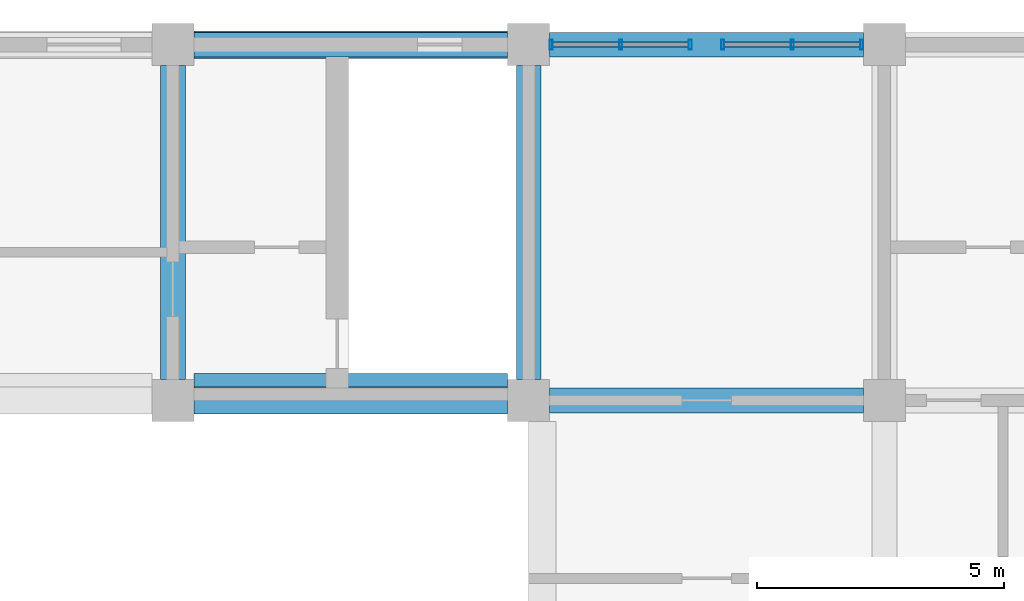
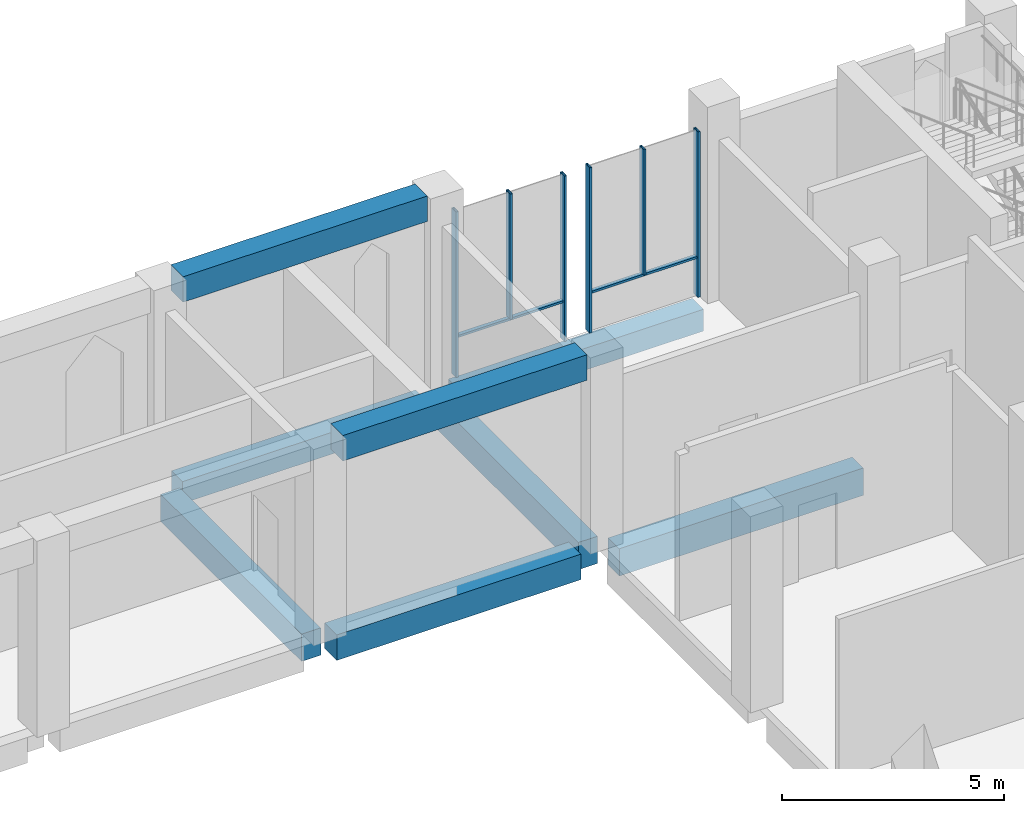
# One storey, part 19 of 48: 8 beams, 8 members, 2 elements without a shape of their own.
"""IFC4 building model written with IfcOpenShell, lengths in metres."""

import ifcopenshell
import ifcopenshell.guid

model = None  # the IFC model being written
_history = None  # IfcOwnerHistory: only IFC2X3 demands one
_inside = {}  # id of a spatial element -> (the spatial element, [elements in it])
_under = {}  # id of a project, library or spatial element -> (it, [spatial elements below it])
_declared = {}  # id of a project -> (the project, [libraries it declares])
_typed = {}  # id of a type object -> (the type object, [elements of that type])
_made_of = {}  # id of a material, layer set ... -> (it, [elements and type objects made of it])


def new_model(schema):
    """Start an empty IFC model of exactly this schema.

    Asked for "IFC4X3", IfcOpenShell would pick the latest addendum, in which some entities
    have other attributes; the version numbers below select the first issue.
    IFC2X3 requires an IfcOwnerHistory on every rooted entity: one is made here for all.
    """
    global model, _history
    if schema == "IFC4X3":
        model = ifcopenshell.file(schema_version=(4, 3, 0, 0))
    else:
        model = ifcopenshell.file(schema=schema)
    _inside.clear()
    _under.clear()
    _declared.clear()
    _typed.clear()
    _made_of.clear()
    _history = None
    if model.schema == "IFC2X3":
        org = make("IfcOrganization", Name="unknown")
        user = make(
            "IfcPersonAndOrganization",
            ThePerson=make("IfcPerson", FamilyName="unknown"),
            TheOrganization=org,
        )
        app = make(
            "IfcApplication",
            ApplicationDeveloper=org,
            Version="unknown",
            ApplicationFullName="unknown",
            ApplicationIdentifier="unknown",
        )
        _history = make(
            "IfcOwnerHistory",
            OwningUser=user,
            OwningApplication=app,
            ChangeAction="ADDED",
            CreationDate=0,
        )
    return model


def make(cls, **values):
    """One entity of the class cls with the attributes given. An attribute that is None is left unset."""
    return model.create_entity(
        cls, **{name: value for name, value in values.items() if value is not None}
    )


def rooted(cls, **values):
    """An entity with a GlobalId (a new one), such as an element, a storey or a relation."""
    return make(cls, GlobalId=ifcopenshell.guid.new(), OwnerHistory=_history, **values)


def si_unit(unit_type, name, prefix=None):
    """IfcSIUnit, for example si_unit("LENGTHUNIT", "METRE", prefix="MILLI")."""
    return make("IfcSIUnit", UnitType=unit_type, Prefix=prefix, Name=name)


def assignment(units):
    """IfcUnitAssignment: the units of a project."""
    return None if units is None else make("IfcUnitAssignment", Units=units)


def point(xyz):
    """IfcCartesianPoint."""
    return None if xyz is None else make("IfcCartesianPoint", Coordinates=xyz)


def direction(xyz):
    """IfcDirection."""
    return None if xyz is None else make("IfcDirection", DirectionRatios=xyz)


def frame(location, z_axis=None, x_axis=None):
    """IfcAxis2Placement3D, a coordinate frame: its origin and axes. An axis left out is left unset."""
    return make(
        "IfcAxis2Placement3D",
        Location=point(location),
        Axis=direction(z_axis),
        RefDirection=direction(x_axis),
    )


def frame_2d(location, x_axis=None):
    """IfcAxis2Placement2D, a coordinate frame in the plane: its origin and x axis."""
    return make(
        "IfcAxis2Placement2D", Location=point(location), RefDirection=direction(x_axis)
    )


def origin():
    """The frame at (0, 0, 0) with its axes left unset."""
    return frame((0.0, 0.0, 0.0))


def origin_2d():
    """The frame at (0, 0) in the plane with its x axis left unset."""
    return frame_2d((0.0, 0.0))


def place(relative_to, where):
    """IfcLocalPlacement: puts the frame where relative to a parent placement (None: the world)."""
    return make(
        "IfcLocalPlacement", PlacementRelTo=relative_to, RelativePlacement=where
    )


def context(
    kind, dimensions, precision=None, world=None, true_north=None, identifier=None
):
    """IfcGeometricRepresentationContext, for example the 3D "Model" context."""
    return make(
        "IfcGeometricRepresentationContext",
        ContextIdentifier=identifier,
        ContextType=kind,
        CoordinateSpaceDimension=dimensions,
        Precision=precision,
        WorldCoordinateSystem=world,
        TrueNorth=true_north,
    )


def subcontext(parent, identifier, kind, view, scale=None):
    """IfcGeometricRepresentationSubContext, for example "Body" below "Model"."""
    return make(
        "IfcGeometricRepresentationSubContext",
        ContextIdentifier=identifier,
        ContextType=kind,
        ParentContext=parent,
        TargetScale=scale,
        TargetView=view,
    )


def project(units=None, contexts=None):
    """IfcProject with its units and contexts."""
    return rooted(
        "IfcProject",
        Name="project",
        RepresentationContexts=contexts,
        UnitsInContext=assignment(units),
    )


def spatial(cls, under=None, at=None, **own):
    """A site, building, storey or space (cls), placed at a placement, below another one or the project."""
    s = rooted(cls, ObjectPlacement=at, **own)
    if under is not None:
        _under.setdefault(under.id(), (under, []))[1].append(s)
    return s


def profile(cls, at=None, kind="AREA", **sizes):
    """A parametric profile (cls). Its sizes go by their IFC names, for example OverallWidth=200.0."""
    return make(cls, ProfileType=kind, Position=at, **sizes)


def rectangle(**sizes):
    """IfcRectangleProfileDef."""
    return profile("IfcRectangleProfileDef", **sizes)


def hollow_rectangle(**sizes):
    """IfcRectangleHollowProfileDef."""
    return profile("IfcRectangleHollowProfileDef", **sizes)


def extrude(swept, where, along, depth):
    """IfcExtrudedAreaSolid: the profile swept, set in the frame where, extruded along a direction by depth."""
    return make(
        "IfcExtrudedAreaSolid",
        SweptArea=swept,
        Position=where,
        ExtrudedDirection=direction(along),
        Depth=depth,
    )


def shape(context_of_items, identifier, shape_type, items):
    """IfcShapeRepresentation: the items that make up one representation, for example the "Body"."""
    return make(
        "IfcShapeRepresentation",
        ContextOfItems=context_of_items,
        RepresentationIdentifier=identifier,
        RepresentationType=shape_type,
        Items=items,
    )


def material(Name=None, Category=None):
    """IfcMaterial."""
    return make("IfcMaterial", Name=Name, Category=Category)


def material_profile(
    of_material, cross_section, Name=None, Category=None, Priority=None
):
    """IfcMaterialProfile: a cross section and its material."""
    return make(
        "IfcMaterialProfile",
        Name=Name,
        Material=of_material,
        Profile=cross_section,
        Priority=Priority,
        Category=Category,
    )


def profile_set(profiles, Name=None, composite=None):
    """IfcMaterialProfileSet."""
    return make(
        "IfcMaterialProfileSet",
        Name=Name,
        MaterialProfiles=profiles,
        CompositeProfile=composite,
    )


def made_of(thing, what):
    """Note that an element or type object is made of a material, layer set ...; save() writes the relation."""
    if what is not None:
        _made_of.setdefault(what.id(), (what, []))[1].append(thing)
    return thing


def type_object(cls, material=None, **own):
    """A type object (cls), such as IfcWallType, which elements share."""
    return made_of(rooted(cls, **own), material)


def element(
    cls,
    number,
    at=None,
    inside=None,
    cuts=None,
    type_object=None,
    material=None,
    context=None,
    identifier="Body",
    shape_type=None,
    held_by="IfcProductDefinitionShape",
    body=None,
    shapes=None,
    **own,
):
    """One element of the class cls, such as IfcWall. Its Tag is "e" and its number.

    at: its placement. inside: the storey or other place that contains it. cuts: it is an
    opening in that element (IfcRelVoidsElement). A single representation is given by context,
    identifier, shape_type and body (its items); several are given by shapes. held_by: the class
    of the entity that holds the representations. save() writes the other relations.
    """
    e = rooted(cls, Tag="e%d" % number, ObjectPlacement=at, **own)
    if body is not None:
        shapes = [shape(context, identifier, shape_type, body)]
    if shapes is not None:
        e.Representation = make(held_by, Representations=shapes)
    if inside is not None:
        _inside.setdefault(inside.id(), (inside, []))[1].append(e)
    if cuts is not None:
        rooted(
            "IfcRelVoidsElement", RelatingBuildingElement=cuts, RelatedOpeningElement=e
        )
    if type_object is not None:
        _typed.setdefault(type_object.id(), (type_object, []))[1].append(e)
    return made_of(e, material)


def aggregate(whole, parts):
    """IfcRelAggregates: a whole, such as a stair, and the parts it consists of."""
    return rooted("IfcRelAggregates", RelatingObject=whole, RelatedObjects=parts)


def save(model, path):
    """Write the relations noted so far, then the file.

    IfcRelAggregates (storeys below a building ...), IfcRelContainedInSpatialStructure (elements
    in a storey), IfcRelDefinesByType, IfcRelAssociatesMaterial and IfcRelDeclares: one each for
    every whole, place, type object, material and project.
    """
    for whole, parts in _under.values():
        aggregate(whole, parts)
    for where, things in _inside.values():
        rooted(
            "IfcRelContainedInSpatialStructure",
            RelatedElements=things,
            RelatingStructure=where,
        )
    for kind, things in _typed.values():
        rooted("IfcRelDefinesByType", RelatedObjects=things, RelatingType=kind)
    for what, things in _made_of.values():
        rooted("IfcRelAssociatesMaterial", RelatedObjects=things, RelatingMaterial=what)
    for by, libraries in _declared.values():
        rooted("IfcRelDeclares", RelatingContext=by, RelatedDefinitions=libraries)
    model.write(path)


model = new_model("IFC4")

# Units and contexts
model_context = context("Model", 3, precision=1e-05, world=origin(), true_north=direction((0.0, 1.0)))
body_context = subcontext(model_context, "Body", "Model", "MODEL_VIEW")
ifc_project = project(units=[si_unit("LENGTHUNIT", "METRE"), si_unit("AREAUNIT", "SQUARE_METRE"), si_unit("VOLUMEUNIT", "CUBIC_METRE"), si_unit("PLANEANGLEUNIT", "RADIAN"), si_unit("MASSUNIT", "GRAM", prefix="KILO")], contexts=[model_context])

# Site, building, storey
site_placement = place(None, origin())
site = spatial("IfcSite", under=ifc_project, at=site_placement, CompositionType="ELEMENT")
building_placement = place(site_placement, origin())
building = spatial("IfcBuilding", under=site, at=building_placement, Name="Silangan Lancet Faculty of Sciences", CompositionType="ELEMENT")
storey_placement = place(building_placement, frame((0.0, 0.0, 6.0)))
storey = spatial("IfcBuildingStorey", under=building, at=storey_placement, Name="L01", CompositionType="ELEMENT", Elevation=6.0)

# Beams
ifc_material_1 = material(Name="Concrete C40/50", Category="concrete")
ifc_material_profile_1 = material_profile(ifc_material_1, rectangle(XDim=0.5, YDim=0.60009765625, at=origin_2d()), Name="RC 500x600")
ifc_profile_set_1 = profile_set([ifc_material_profile_1], Name="Concrete C40/50")
beam_type_1 = type_object("IfcBeamType", Name="BEAM RC 500x600", PredefinedType="BEAM", material=ifc_profile_set_1)
for number, where, z_axis, x_axis, name in (
    (1, (65.22509765625, 57.60009765625, -0.550048828125), (1.0, 0.0, 0.0), (0.0, 1.0, 0.0), "BM-L01-10I-11I"),
    (2, (72.425048828125, 57.60009765625, -0.550048828125), (1.0, 0.0, 0.0), (0.0, 1.0, 0.0), "BM-L01-11I-12I"),
):
    element("IfcBeam", number, at=place(storey_placement, frame(where, z_axis=z_axis, x_axis=x_axis)), inside=storey, type_object=beam_type_1, Name=name, PredefinedType="BEAM", context=body_context, shape_type="SweptSolid", body=[
        extrude(rectangle(XDim=0.5, YDim=0.60009765625, at=origin_2d()), origin(), (0.0, 0.0, 1.0), 6.349853515625),
    ])
ifc_material_2 = material(Name="Concrete C40/50", Category="concrete")
ifc_material_profile_2 = material_profile(ifc_material_2, rectangle(XDim=0.5, YDim=0.75, at=origin_2d()), Name="RC 500x750")
ifc_profile_set_2 = profile_set([ifc_material_profile_2], Name="Concrete C40/50")
beam_type_2 = type_object("IfcBeamType", Name="BEAM RC 500x750", PredefinedType="BEAM", material=ifc_profile_set_2)
beam_placement = place(storey_placement, frame((72.425048828125, 50.39990234375, -0.625), z_axis=(1.0, 0.0, 0.0), x_axis=(0.0, 1.0, 0.0)))
element("IfcBeam", 3, at=beam_placement, inside=storey, type_object=beam_type_2, Name="BM-L01-11H-12H", PredefinedType="BEAM", context=body_context, shape_type="SweptSolid", body=[
    extrude(rectangle(XDim=0.5, YDim=0.75, at=origin_2d()), origin(), (0.0, 0.0, 1.0), 6.349853515625),
])
for number, where, z_axis, x_axis, name in (
    (4, (64.800048828125, 50.824951171875, -0.625), (0.0, 1.0, 0.0), (-1.0, 0.0, 0.0), "BM-L01-10H-10I"),
    (5, (72.0, 50.824951171875, -0.625), (0.0, 1.0, 0.0), (-1.0, 0.0, 0.0), "BM-L01-11H-11I"),
):
    element("IfcBeam", number, at=place(storey_placement, frame(where, z_axis=z_axis, x_axis=x_axis)), inside=storey, type_object=beam_type_2, Name=name, PredefinedType="BEAM", context=body_context, shape_type="SweptSolid", body=[
        extrude(rectangle(XDim=0.5, YDim=0.75, at=origin_2d()), origin(), (0.0, 0.0, 1.0), 6.35009765625),
    ])
ifc_material_3 = material(Name="Concrete C40/50", Category="concrete")
ifc_material_profile_3 = material_profile(ifc_material_3, rectangle(XDim=0.550048828125, YDim=0.699951171875, at=origin_2d()), Name="RC 550x700")
ifc_profile_set_3 = profile_set([ifc_material_profile_3], Name="Concrete C40/50")
beam_type_3 = type_object("IfcBeamType", Name="BEAM RC 550x700", PredefinedType="BEAM", material=ifc_profile_set_3)
for number, where, z_axis, x_axis, name in (
    (6, (65.22509765625, 50.675048828125, -0.60009765625), (1.0, 0.0, 0.0), (0.0, 1.0, 0.0), "BM-L01-10H-11H"),
    (7, (65.22509765625, 50.39990234375, 5.050048828125), (1.0, 0.0, 0.0), (0.0, 1.0, 0.0), "RB-L01-10H-11H"),
    (8, (65.22509765625, 57.60009765625, 5.050048828125), (1.0, 0.0, 0.0), (0.0, 1.0, 0.0), "RB-L01-10I-11I"),
):
    element("IfcBeam", number, at=place(storey_placement, frame(where, z_axis=z_axis, x_axis=x_axis)), inside=storey, type_object=beam_type_3, Name=name, PredefinedType="BEAM", context=body_context, shape_type="SweptSolid", body=[
        extrude(rectangle(XDim=0.550048828125, YDim=0.699951171875, at=origin_2d()), origin(), (0.0, 0.0, 1.0), 6.349853515625),
    ])

# Curtain wall, members
ifc_material_4 = material(Name="Aluminium framed curtain wall with insulated glass", Category="aluminium")
curtain_wall_type = type_object("IfcCurtainWallType", Name="CW1 Commons and east block glazing", PredefinedType="NOTDEFINED", material=ifc_material_4)
curtain_wall_1_placement = place(storey_placement, origin())
curtain_wall_1 = element("IfcCurtainWall", 9, at=curtain_wall_1_placement, inside=storey, type_object=curtain_wall_type, Name="CW1 East block north L01 bay 1", PredefinedType="NOTDEFINED")
ifc_material_5 = material(Name="Aluminium 6063-T6 extrusion", Category="aluminium")
ifc_material_profile_4 = material_profile(ifc_material_5, hollow_rectangle(XDim=0.06005859375, YDim=0.199951171875, WallThickness=0.00390625, at=origin_2d()), Name="AL BOX 60x200x4")
ifc_profile_set_4 = profile_set([ifc_material_profile_4], Name="Aluminium 6063-T6 extrusion")
member_type_1 = type_object("IfcMemberType", Name="CM1 Mullion 60x200", PredefinedType="MULLION", material=ifc_profile_set_4)
member_1_placement = place(storey_placement, frame((78.7451171875, 57.60009765625, 0.0), z_axis=(0.0, 0.0, 1.0), x_axis=(-1.0, 0.0, 0.0)))
member_1 = element("IfcMember", 10, at=member_1_placement, type_object=member_type_1, Name="CW1 East block north L01 bay 1 mullion 1", PredefinedType="MULLION", context=body_context, shape_type="SweptSolid", body=[
    extrude(hollow_rectangle(XDim=0.06005859375, YDim=0.199951171875, WallThickness=0.00390625, at=origin_2d()), origin(), (0.0, 0.0, 1.0), 4.550048828125),
])
member_2_placement = place(storey_placement, frame((75.93017578125, 57.60009765625, 0.0), z_axis=(0.0, 0.0, 1.0), x_axis=(-1.0, 0.0, 0.0)))
member_2 = element("IfcMember", 11, at=member_2_placement, type_object=member_type_1, Name="CW1 East block north L01 bay 1 mullion 2", PredefinedType="MULLION", context=body_context, shape_type="SweptSolid", body=[
    extrude(hollow_rectangle(XDim=0.06005859375, YDim=0.199951171875, WallThickness=0.00390625, at=origin_2d()), origin(), (0.0, 0.0, 1.0), 4.550048828125),
])
member_3_placement = place(storey_placement, frame((77.337646484375, 57.60009765625, 1.10009765625), z_axis=(0.0, 0.0, 1.0), x_axis=(-1.0, 0.0, 0.0)))
member_3 = element("IfcMember", 12, at=member_3_placement, type_object=member_type_1, Name="CW1 East block north L01 bay 1 mullion 3", PredefinedType="MULLION", context=body_context, shape_type="SweptSolid", body=[
    extrude(hollow_rectangle(XDim=0.06005859375, YDim=0.199951171875, WallThickness=0.00390625, at=origin_2d()), origin(), (0.0, 0.0, 1.0), 3.449951171875),
])

curtain_wall_2_placement = place(storey_placement, origin())
curtain_wall_2 = element("IfcCurtainWall", 13, at=curtain_wall_2_placement, inside=storey, type_object=curtain_wall_type, Name="CW1 East block north L01 bay 2", PredefinedType="NOTDEFINED")
member_4_placement = place(storey_placement, frame((75.27001953125, 57.60009765625, 0.0), z_axis=(0.0, 0.0, 1.0), x_axis=(-1.0, 0.0, 0.0)))
member_4 = element("IfcMember", 14, at=member_4_placement, type_object=member_type_1, Name="CW1 East block north L01 bay 2 mullion 1", PredefinedType="MULLION", context=body_context, shape_type="SweptSolid", body=[
    extrude(hollow_rectangle(XDim=0.06005859375, YDim=0.199951171875, WallThickness=0.00390625, at=origin_2d()), origin(), (0.0, 0.0, 1.0), 4.550048828125),
])
member_5_placement = place(storey_placement, frame((72.455078125, 57.60009765625, 0.0), z_axis=(0.0, 0.0, 1.0), x_axis=(-1.0, 0.0, 0.0)))
member_5 = element("IfcMember", 15, at=member_5_placement, type_object=member_type_1, Name="CW1 East block north L01 bay 2 mullion 2", PredefinedType="MULLION", context=body_context, shape_type="SweptSolid", body=[
    extrude(hollow_rectangle(XDim=0.06005859375, YDim=0.199951171875, WallThickness=0.00390625, at=origin_2d()), origin(), (0.0, 0.0, 1.0), 4.550048828125),
])
member_6_placement = place(storey_placement, frame((73.862548828125, 57.60009765625, 1.10009765625), z_axis=(0.0, 0.0, 1.0), x_axis=(-1.0, 0.0, 0.0)))
member_6 = element("IfcMember", 16, at=member_6_placement, type_object=member_type_1, Name="CW1 East block north L01 bay 2 mullion 3", PredefinedType="MULLION", context=body_context, shape_type="SweptSolid", body=[
    extrude(hollow_rectangle(XDim=0.06005859375, YDim=0.199951171875, WallThickness=0.00390625, at=origin_2d()), origin(), (0.0, 0.0, 1.0), 3.449951171875),
])

# Member
ifc_material_6 = material(Name="Aluminium 6063-T6 extrusion", Category="aluminium")
ifc_material_profile_5 = material_profile(ifc_material_6, hollow_rectangle(XDim=0.10009765625, YDim=0.06005859375, WallThickness=0.0029296875, at=origin_2d()), Name="AL BOX 100x60x3")
ifc_profile_set_5 = profile_set([ifc_material_profile_5], Name="Aluminium 6063-T6 extrusion")
member_type_2 = type_object("IfcMemberType", Name="CT1 Transom 100x60", PredefinedType="USERDEFINED", material=ifc_profile_set_5)
member_7_placement = place(storey_placement, frame((78.715087890625, 57.60009765625, 1.070068359375), z_axis=(-1.0, 0.0, 0.0), x_axis=(0.0, -1.0, 0.0)))
member_7 = element("IfcMember", 17, at=member_7_placement, type_object=member_type_2, Name="CW1 East block north L01 bay 1 transom 1", ObjectType="TRANSOM", PredefinedType="USERDEFINED", context=body_context, shape_type="SweptSolid", body=[
    extrude(hollow_rectangle(XDim=0.10009765625, YDim=0.06005859375, WallThickness=0.0029296875, at=origin_2d()), origin(), (0.0, 0.0, 1.0), 2.7548828125),
])

aggregate(curtain_wall_1, [member_1, member_2, member_3, member_7])

member_8_placement = place(storey_placement, frame((75.239990234375, 57.60009765625, 1.070068359375), z_axis=(-1.0, 0.0, 0.0), x_axis=(0.0, -1.0, 0.0)))
member_8 = element("IfcMember", 18, at=member_8_placement, type_object=member_type_2, Name="CW1 East block north L01 bay 2 transom 1", ObjectType="TRANSOM", PredefinedType="USERDEFINED", context=body_context, shape_type="SweptSolid", body=[
    extrude(hollow_rectangle(XDim=0.10009765625, YDim=0.06005859375, WallThickness=0.0029296875, at=origin_2d()), origin(), (0.0, 0.0, 1.0), 2.7548828125),
])

aggregate(curtain_wall_2, [member_4, member_5, member_6, member_8])

save(model, "model.ifc")
